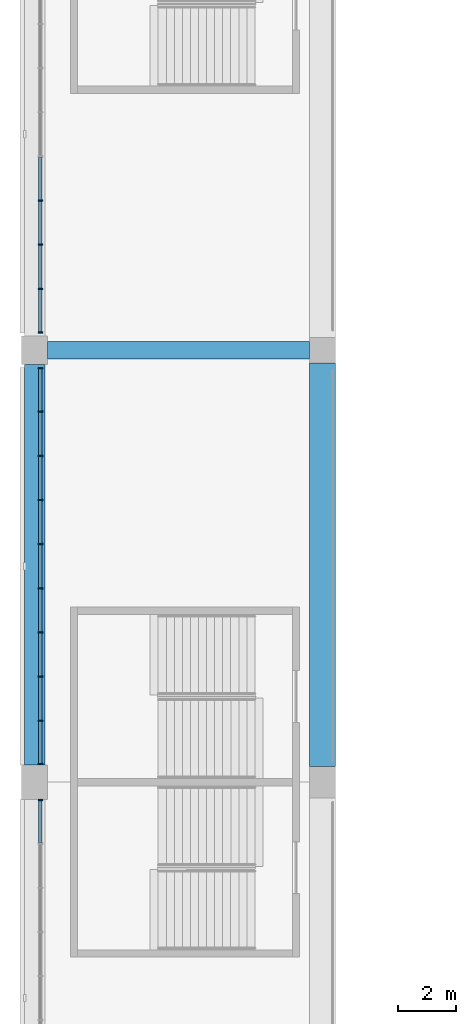
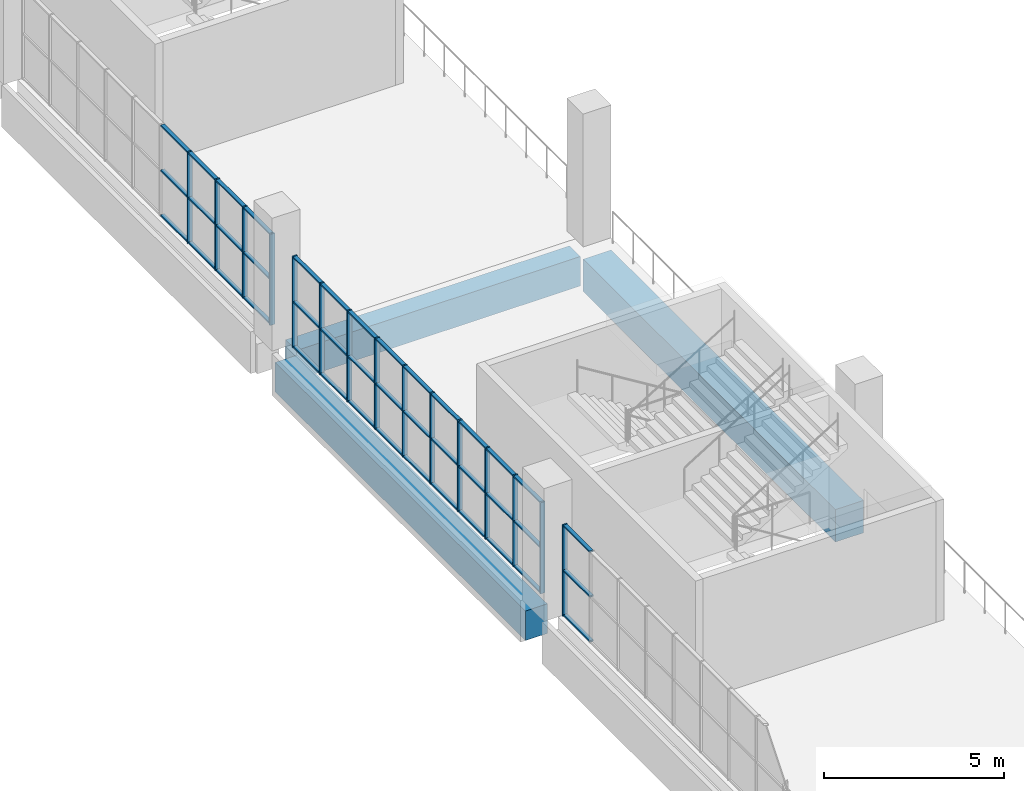
# One storey, part 13 of 177: 57 members, 3 beams, 3 elements without a shape of their own.
"""IFC4 building model written with IfcOpenShell, lengths in metres."""

from ifc_helpers import new_model, si_unit, direction, frame, origin, origin_2d, place, context, subcontext, project, spatial, rectangle, extrude, material, material_profile, profile_set, type_object, element, aggregate, save


model = new_model("IFC4")

# Units and contexts
model_context = context("Model", 3, precision=1e-05, world=origin(), true_north=direction((0.0, 1.0)))
body_context = subcontext(model_context, "Body", "Model", "MODEL_VIEW")
ifc_project = project(units=[si_unit("LENGTHUNIT", "METRE"), si_unit("AREAUNIT", "SQUARE_METRE"), si_unit("VOLUMEUNIT", "CUBIC_METRE"), si_unit("PLANEANGLEUNIT", "RADIAN"), si_unit("MASSUNIT", "GRAM", prefix="KILO")], contexts=[model_context])

# Site, building, storey
site_placement = place(None, origin())
site = spatial("IfcSite", under=ifc_project, at=site_placement, CompositionType="ELEMENT")
building_placement = place(site_placement, origin())
building = spatial("IfcBuilding", under=site, at=building_placement, Name="Ogive Plaza Stadium", CompositionType="ELEMENT")
storey_placement = place(building_placement, frame((0.0, 0.0, 18.0)))
storey = spatial("IfcBuildingStorey", under=building, at=storey_placement, Name="L04", CompositionType="ELEMENT", Elevation=18.0)

# Curtain wall, member
ifc_material_1 = material(Name="Bronze-anodised aluminium with laminated glass", Category="aluminium")
curtain_wall_type = type_object("IfcCurtainWallType", Name="Lancet curtain wall", PredefinedType="NOTDEFINED", material=ifc_material_1)
curtain_wall_1_placement = place(storey_placement, origin())
curtain_wall_1 = element("IfcCurtainWall", 1, at=curtain_wall_1_placement, inside=storey, type_object=curtain_wall_type, Name="CURTAIN WALL B21 L04", PredefinedType="NOTDEFINED")
ifc_material_2 = material(Name="Bronze-anodised aluminium", Category="aluminium")
ifc_material_profile_1 = material_profile(ifc_material_2, rectangle(XDim=0.14990234375, YDim=0.050048828125, at=origin_2d()), Name="AL 150x50")
ifc_profile_set_1 = profile_set([ifc_material_profile_1], Name="Bronze-anodised aluminium")
member_type_1 = type_object("IfcMemberType", Name="Curtain wall mullion 50x150", PredefinedType="MULLION", material=ifc_profile_set_1)
member_1_placement = place(storey_placement, frame((-83.800048828125, -38.125, 0.0), z_axis=(0.0, 0.0, 1.0), x_axis=(-1.0, 0.0, 0.0)))
member_1 = element("IfcMember", 2, at=member_1_placement, type_object=member_type_1, Name="CW-B21-L04 mullion 10", PredefinedType="MULLION", context=body_context, shape_type="SweptSolid", body=[
    extrude(rectangle(XDim=0.14990234375, YDim=0.050048828125, at=origin_2d()), origin(), (0.0, 0.0, 1.0), 3.090087890625),
])

# Curtain wall, members
curtain_wall_2_placement = place(storey_placement, origin())
curtain_wall_2 = element("IfcCurtainWall", 3, at=curtain_wall_2_placement, inside=storey, type_object=curtain_wall_type, Name="CURTAIN WALL B22 L04", PredefinedType="NOTDEFINED")
member_2_placement = place(storey_placement, frame((-83.800048828125, -36.875, 0.0), z_axis=(0.0, 0.0, 1.0), x_axis=(-1.0, 0.0, 0.0)))
member_2 = element("IfcMember", 4, at=member_2_placement, type_object=member_type_1, Name="CW-B22-L04 mullion 1", PredefinedType="MULLION", context=body_context, shape_type="SweptSolid", body=[
    extrude(rectangle(XDim=0.14990234375, YDim=0.050048828125, at=origin_2d()), origin(), (0.0, 0.0, 1.0), 3.090087890625),
])
member_3_placement = place(storey_placement, frame((-83.800048828125, -35.36669921875, 0.0), z_axis=(0.0, 0.0, 1.0), x_axis=(-1.0, 0.0, 0.0)))
member_3 = element("IfcMember", 5, at=member_3_placement, type_object=member_type_1, Name="CW-B22-L04 mullion 2", PredefinedType="MULLION", context=body_context, shape_type="SweptSolid", body=[
    extrude(rectangle(XDim=0.14990234375, YDim=0.050048828125, at=origin_2d()), origin(), (0.0, 0.0, 1.0), 3.090087890625),
])
member_4_placement = place(storey_placement, frame((-83.800048828125, -33.833251953125, 0.0), z_axis=(0.0, 0.0, 1.0), x_axis=(-1.0, 0.0, 0.0)))
member_4 = element("IfcMember", 6, at=member_4_placement, type_object=member_type_1, Name="CW-B22-L04 mullion 3", PredefinedType="MULLION", context=body_context, shape_type="SweptSolid", body=[
    extrude(rectangle(XDim=0.14990234375, YDim=0.050048828125, at=origin_2d()), origin(), (0.0, 0.0, 1.0), 3.090087890625),
])
member_5_placement = place(storey_placement, frame((-83.800048828125, -32.300048828125, 0.0), z_axis=(0.0, 0.0, 1.0), x_axis=(-1.0, 0.0, 0.0)))
member_5 = element("IfcMember", 7, at=member_5_placement, type_object=member_type_1, Name="CW-B22-L04 mullion 4", PredefinedType="MULLION", context=body_context, shape_type="SweptSolid", body=[
    extrude(rectangle(XDim=0.14990234375, YDim=0.050048828125, at=origin_2d()), origin(), (0.0, 0.0, 1.0), 3.090087890625),
])
member_6_placement = place(storey_placement, frame((-83.800048828125, -30.7666015625, 0.0), z_axis=(0.0, 0.0, 1.0), x_axis=(-1.0, 0.0, 0.0)))
member_6 = element("IfcMember", 8, at=member_6_placement, type_object=member_type_1, Name="CW-B22-L04 mullion 5", PredefinedType="MULLION", context=body_context, shape_type="SweptSolid", body=[
    extrude(rectangle(XDim=0.14990234375, YDim=0.050048828125, at=origin_2d()), origin(), (0.0, 0.0, 1.0), 3.090087890625),
])
member_7_placement = place(storey_placement, frame((-83.800048828125, -29.2333984375, 0.0), z_axis=(0.0, 0.0, 1.0), x_axis=(-1.0, 0.0, 0.0)))
member_7 = element("IfcMember", 9, at=member_7_placement, type_object=member_type_1, Name="CW-B22-L04 mullion 6", PredefinedType="MULLION", context=body_context, shape_type="SweptSolid", body=[
    extrude(rectangle(XDim=0.14990234375, YDim=0.050048828125, at=origin_2d()), origin(), (0.0, 0.0, 1.0), 3.090087890625),
])
member_8_placement = place(storey_placement, frame((-83.800048828125, -27.699951171875, 0.0), z_axis=(0.0, 0.0, 1.0), x_axis=(-1.0, 0.0, 0.0)))
member_8 = element("IfcMember", 10, at=member_8_placement, type_object=member_type_1, Name="CW-B22-L04 mullion 7", PredefinedType="MULLION", context=body_context, shape_type="SweptSolid", body=[
    extrude(rectangle(XDim=0.14990234375, YDim=0.050048828125, at=origin_2d()), origin(), (0.0, 0.0, 1.0), 3.090087890625),
])
member_9_placement = place(storey_placement, frame((-83.800048828125, -26.166748046875, 0.0), z_axis=(0.0, 0.0, 1.0), x_axis=(-1.0, 0.0, 0.0)))
member_9 = element("IfcMember", 11, at=member_9_placement, type_object=member_type_1, Name="CW-B22-L04 mullion 8", PredefinedType="MULLION", context=body_context, shape_type="SweptSolid", body=[
    extrude(rectangle(XDim=0.14990234375, YDim=0.050048828125, at=origin_2d()), origin(), (0.0, 0.0, 1.0), 3.090087890625),
])
member_10_placement = place(storey_placement, frame((-83.800048828125, -24.63330078125, 0.0), z_axis=(0.0, 0.0, 1.0), x_axis=(-1.0, 0.0, 0.0)))
member_10 = element("IfcMember", 12, at=member_10_placement, type_object=member_type_1, Name="CW-B22-L04 mullion 9", PredefinedType="MULLION", context=body_context, shape_type="SweptSolid", body=[
    extrude(rectangle(XDim=0.14990234375, YDim=0.050048828125, at=origin_2d()), origin(), (0.0, 0.0, 1.0), 3.090087890625),
])
member_11_placement = place(storey_placement, frame((-83.800048828125, -23.125, 0.0), z_axis=(0.0, 0.0, 1.0), x_axis=(-1.0, 0.0, 0.0)))
member_11 = element("IfcMember", 13, at=member_11_placement, type_object=member_type_1, Name="CW-B22-L04 mullion 10", PredefinedType="MULLION", context=body_context, shape_type="SweptSolid", body=[
    extrude(rectangle(XDim=0.14990234375, YDim=0.050048828125, at=origin_2d()), origin(), (0.0, 0.0, 1.0), 3.090087890625),
])

curtain_wall_3_placement = place(storey_placement, origin())
curtain_wall_3 = element("IfcCurtainWall", 14, at=curtain_wall_3_placement, inside=storey, type_object=curtain_wall_type, Name="CURTAIN WALL B23 L04", PredefinedType="NOTDEFINED")
member_12_placement = place(storey_placement, frame((-83.800048828125, -21.875, 0.0), z_axis=(0.0, 0.0, 1.0), x_axis=(-1.0, 0.0, 0.0)))
member_12 = element("IfcMember", 15, at=member_12_placement, type_object=member_type_1, Name="CW-B23-L04 mullion 1", PredefinedType="MULLION", context=body_context, shape_type="SweptSolid", body=[
    extrude(rectangle(XDim=0.14990234375, YDim=0.050048828125, at=origin_2d()), origin(), (0.0, 0.0, 1.0), 3.090087890625),
])
member_13_placement = place(storey_placement, frame((-83.800048828125, -20.36669921875, 0.0), z_axis=(0.0, 0.0, 1.0), x_axis=(-1.0, 0.0, 0.0)))
member_13 = element("IfcMember", 16, at=member_13_placement, type_object=member_type_1, Name="CW-B23-L04 mullion 2", PredefinedType="MULLION", context=body_context, shape_type="SweptSolid", body=[
    extrude(rectangle(XDim=0.14990234375, YDim=0.050048828125, at=origin_2d()), origin(), (0.0, 0.0, 1.0), 3.090087890625),
])
member_14_placement = place(storey_placement, frame((-83.800048828125, -18.833251953125, 0.0), z_axis=(0.0, 0.0, 1.0), x_axis=(-1.0, 0.0, 0.0)))
member_14 = element("IfcMember", 17, at=member_14_placement, type_object=member_type_1, Name="CW-B23-L04 mullion 3", PredefinedType="MULLION", context=body_context, shape_type="SweptSolid", body=[
    extrude(rectangle(XDim=0.14990234375, YDim=0.050048828125, at=origin_2d()), origin(), (0.0, 0.0, 1.0), 3.090087890625),
])
member_15_placement = place(storey_placement, frame((-83.800048828125, -17.300048828125, 0.0), z_axis=(0.0, 0.0, 1.0), x_axis=(-1.0, 0.0, 0.0)))
member_15 = element("IfcMember", 18, at=member_15_placement, type_object=member_type_1, Name="CW-B23-L04 mullion 4", PredefinedType="MULLION", context=body_context, shape_type="SweptSolid", body=[
    extrude(rectangle(XDim=0.14990234375, YDim=0.050048828125, at=origin_2d()), origin(), (0.0, 0.0, 1.0), 3.090087890625),
])

# Member
ifc_material_3 = material(Name="Bronze-anodised aluminium", Category="aluminium")
ifc_material_profile_2 = material_profile(ifc_material_3, rectangle(XDim=0.1201171875, YDim=0.050048828125, at=origin_2d()), Name="AL 120x50")
ifc_profile_set_2 = profile_set([ifc_material_profile_2], Name="Bronze-anodised aluminium")
member_type_2 = type_object("IfcMemberType", Name="Curtain wall transom 50x120", PredefinedType="USERDEFINED", material=ifc_profile_set_2)
member_16_placement = place(storey_placement, frame((-83.800048828125, -39.6083984375, 0.02490234375), z_axis=(0.0, 1.0, 0.0), x_axis=(-1.0, 0.0, 0.0)))
member_16 = element("IfcMember", 19, at=member_16_placement, type_object=member_type_2, Name="CW-B21-L04 transom 9.1", ObjectType="TRANSOM", PredefinedType="USERDEFINED", context=body_context, shape_type="SweptSolid", body=[
    extrude(rectangle(XDim=0.1201171875, YDim=0.050048828125, at=origin_2d()), origin(), (0.0, 0.0, 1.0), 1.45849609375),
])

member_17_placement = place(storey_placement, frame((-83.800048828125, -39.6083984375, 1.544921875), z_axis=(0.0, 1.0, 0.0), x_axis=(-1.0, 0.0, 0.0)))
member_17 = element("IfcMember", 20, at=member_17_placement, type_object=member_type_2, Name="CW-B21-L04 transom 9.2", ObjectType="TRANSOM", PredefinedType="USERDEFINED", context=body_context, shape_type="SweptSolid", body=[
    extrude(rectangle(XDim=0.1201171875, YDim=0.050048828125, at=origin_2d()), origin(), (0.0, 0.0, 1.0), 1.45849609375),
])

member_18_placement = place(storey_placement, frame((-83.800048828125, -39.6083984375, 3.06494140625), z_axis=(0.0, 1.0, 0.0), x_axis=(-1.0, 0.0, 0.0)))
member_18 = element("IfcMember", 21, at=member_18_placement, type_object=member_type_2, Name="CW-B21-L04 transom 9.3", ObjectType="TRANSOM", PredefinedType="USERDEFINED", context=body_context, shape_type="SweptSolid", body=[
    extrude(rectangle(XDim=0.1201171875, YDim=0.050048828125, at=origin_2d()), origin(), (0.0, 0.0, 1.0), 1.45849609375),
])

aggregate(curtain_wall_1, [member_1, member_16, member_17, member_18])

member_19_placement = place(storey_placement, frame((-83.800048828125, -36.85009765625, 0.02490234375), z_axis=(0.0, 1.0, 0.0), x_axis=(-1.0, 0.0, 0.0)))
member_19 = element("IfcMember", 22, at=member_19_placement, type_object=member_type_2, Name="CW-B22-L04 transom 1.1", ObjectType="TRANSOM", PredefinedType="USERDEFINED", context=body_context, shape_type="SweptSolid", body=[
    extrude(rectangle(XDim=0.1201171875, YDim=0.050048828125, at=origin_2d()), origin(), (0.0, 0.0, 1.0), 1.45849609375),
])

member_20_placement = place(storey_placement, frame((-83.800048828125, -36.85009765625, 1.544921875), z_axis=(0.0, 1.0, 0.0), x_axis=(-1.0, 0.0, 0.0)))
member_20 = element("IfcMember", 23, at=member_20_placement, type_object=member_type_2, Name="CW-B22-L04 transom 1.2", ObjectType="TRANSOM", PredefinedType="USERDEFINED", context=body_context, shape_type="SweptSolid", body=[
    extrude(rectangle(XDim=0.1201171875, YDim=0.050048828125, at=origin_2d()), origin(), (0.0, 0.0, 1.0), 1.45849609375),
])

member_21_placement = place(storey_placement, frame((-83.800048828125, -36.85009765625, 3.06494140625), z_axis=(0.0, 1.0, 0.0), x_axis=(-1.0, 0.0, 0.0)))
member_21 = element("IfcMember", 24, at=member_21_placement, type_object=member_type_2, Name="CW-B22-L04 transom 1.3", ObjectType="TRANSOM", PredefinedType="USERDEFINED", context=body_context, shape_type="SweptSolid", body=[
    extrude(rectangle(XDim=0.1201171875, YDim=0.050048828125, at=origin_2d()), origin(), (0.0, 0.0, 1.0), 1.45849609375),
])

member_22_placement = place(storey_placement, frame((-83.800048828125, -35.341552734375, 0.02490234375), z_axis=(0.0, 1.0, 0.0), x_axis=(-1.0, 0.0, 0.0)))
member_22 = element("IfcMember", 25, at=member_22_placement, type_object=member_type_2, Name="CW-B22-L04 transom 2.1", ObjectType="TRANSOM", PredefinedType="USERDEFINED", context=body_context, shape_type="SweptSolid", body=[
    extrude(rectangle(XDim=0.1201171875, YDim=0.050048828125, at=origin_2d()), origin(), (0.0, 0.0, 1.0), 1.483154296875),
])

member_23_placement = place(storey_placement, frame((-83.800048828125, -35.341552734375, 1.544921875), z_axis=(0.0, 1.0, 0.0), x_axis=(-1.0, 0.0, 0.0)))
member_23 = element("IfcMember", 26, at=member_23_placement, type_object=member_type_2, Name="CW-B22-L04 transom 2.2", ObjectType="TRANSOM", PredefinedType="USERDEFINED", context=body_context, shape_type="SweptSolid", body=[
    extrude(rectangle(XDim=0.1201171875, YDim=0.050048828125, at=origin_2d()), origin(), (0.0, 0.0, 1.0), 1.483154296875),
])

member_24_placement = place(storey_placement, frame((-83.800048828125, -35.341552734375, 3.06494140625), z_axis=(0.0, 1.0, 0.0), x_axis=(-1.0, 0.0, 0.0)))
member_24 = element("IfcMember", 27, at=member_24_placement, type_object=member_type_2, Name="CW-B22-L04 transom 2.3", ObjectType="TRANSOM", PredefinedType="USERDEFINED", context=body_context, shape_type="SweptSolid", body=[
    extrude(rectangle(XDim=0.1201171875, YDim=0.050048828125, at=origin_2d()), origin(), (0.0, 0.0, 1.0), 1.483154296875),
])

member_25_placement = place(storey_placement, frame((-83.800048828125, -33.808349609375, 0.02490234375), z_axis=(0.0, 1.0, 0.0), x_axis=(-1.0, 0.0, 0.0)))
member_25 = element("IfcMember", 28, at=member_25_placement, type_object=member_type_2, Name="CW-B22-L04 transom 3.1", ObjectType="TRANSOM", PredefinedType="USERDEFINED", context=body_context, shape_type="SweptSolid", body=[
    extrude(rectangle(XDim=0.1201171875, YDim=0.050048828125, at=origin_2d()), origin(), (0.0, 0.0, 1.0), 1.4833984375),
])

member_26_placement = place(storey_placement, frame((-83.800048828125, -33.808349609375, 1.544921875), z_axis=(0.0, 1.0, 0.0), x_axis=(-1.0, 0.0, 0.0)))
member_26 = element("IfcMember", 29, at=member_26_placement, type_object=member_type_2, Name="CW-B22-L04 transom 3.2", ObjectType="TRANSOM", PredefinedType="USERDEFINED", context=body_context, shape_type="SweptSolid", body=[
    extrude(rectangle(XDim=0.1201171875, YDim=0.050048828125, at=origin_2d()), origin(), (0.0, 0.0, 1.0), 1.4833984375),
])

member_27_placement = place(storey_placement, frame((-83.800048828125, -33.808349609375, 3.06494140625), z_axis=(0.0, 1.0, 0.0), x_axis=(-1.0, 0.0, 0.0)))
member_27 = element("IfcMember", 30, at=member_27_placement, type_object=member_type_2, Name="CW-B22-L04 transom 3.3", ObjectType="TRANSOM", PredefinedType="USERDEFINED", context=body_context, shape_type="SweptSolid", body=[
    extrude(rectangle(XDim=0.1201171875, YDim=0.050048828125, at=origin_2d()), origin(), (0.0, 0.0, 1.0), 1.4833984375),
])

member_28_placement = place(storey_placement, frame((-83.800048828125, -32.27490234375, 0.02490234375), z_axis=(0.0, 1.0, 0.0), x_axis=(-1.0, 0.0, 0.0)))
member_28 = element("IfcMember", 31, at=member_28_placement, type_object=member_type_2, Name="CW-B22-L04 transom 4.1", ObjectType="TRANSOM", PredefinedType="USERDEFINED", context=body_context, shape_type="SweptSolid", body=[
    extrude(rectangle(XDim=0.1201171875, YDim=0.050048828125, at=origin_2d()), origin(), (0.0, 0.0, 1.0), 1.483154296875),
])

member_29_placement = place(storey_placement, frame((-83.800048828125, -32.27490234375, 1.544921875), z_axis=(0.0, 1.0, 0.0), x_axis=(-1.0, 0.0, 0.0)))
member_29 = element("IfcMember", 32, at=member_29_placement, type_object=member_type_2, Name="CW-B22-L04 transom 4.2", ObjectType="TRANSOM", PredefinedType="USERDEFINED", context=body_context, shape_type="SweptSolid", body=[
    extrude(rectangle(XDim=0.1201171875, YDim=0.050048828125, at=origin_2d()), origin(), (0.0, 0.0, 1.0), 1.483154296875),
])

member_30_placement = place(storey_placement, frame((-83.800048828125, -32.27490234375, 3.06494140625), z_axis=(0.0, 1.0, 0.0), x_axis=(-1.0, 0.0, 0.0)))
member_30 = element("IfcMember", 33, at=member_30_placement, type_object=member_type_2, Name="CW-B22-L04 transom 4.3", ObjectType="TRANSOM", PredefinedType="USERDEFINED", context=body_context, shape_type="SweptSolid", body=[
    extrude(rectangle(XDim=0.1201171875, YDim=0.050048828125, at=origin_2d()), origin(), (0.0, 0.0, 1.0), 1.483154296875),
])

member_31_placement = place(storey_placement, frame((-83.800048828125, -30.74169921875, 0.02490234375), z_axis=(0.0, 1.0, 0.0), x_axis=(-1.0, 0.0, 0.0)))
member_31 = element("IfcMember", 34, at=member_31_placement, type_object=member_type_2, Name="CW-B22-L04 transom 5.1", ObjectType="TRANSOM", PredefinedType="USERDEFINED", context=body_context, shape_type="SweptSolid", body=[
    extrude(rectangle(XDim=0.1201171875, YDim=0.050048828125, at=origin_2d()), origin(), (0.0, 0.0, 1.0), 1.4833984375),
])

member_32_placement = place(storey_placement, frame((-83.800048828125, -30.74169921875, 1.544921875), z_axis=(0.0, 1.0, 0.0), x_axis=(-1.0, 0.0, 0.0)))
member_32 = element("IfcMember", 35, at=member_32_placement, type_object=member_type_2, Name="CW-B22-L04 transom 5.2", ObjectType="TRANSOM", PredefinedType="USERDEFINED", context=body_context, shape_type="SweptSolid", body=[
    extrude(rectangle(XDim=0.1201171875, YDim=0.050048828125, at=origin_2d()), origin(), (0.0, 0.0, 1.0), 1.4833984375),
])

member_33_placement = place(storey_placement, frame((-83.800048828125, -30.74169921875, 3.06494140625), z_axis=(0.0, 1.0, 0.0), x_axis=(-1.0, 0.0, 0.0)))
member_33 = element("IfcMember", 36, at=member_33_placement, type_object=member_type_2, Name="CW-B22-L04 transom 5.3", ObjectType="TRANSOM", PredefinedType="USERDEFINED", context=body_context, shape_type="SweptSolid", body=[
    extrude(rectangle(XDim=0.1201171875, YDim=0.050048828125, at=origin_2d()), origin(), (0.0, 0.0, 1.0), 1.4833984375),
])

member_34_placement = place(storey_placement, frame((-83.800048828125, -29.208251953125, 0.02490234375), z_axis=(0.0, 1.0, 0.0), x_axis=(-1.0, 0.0, 0.0)))
member_34 = element("IfcMember", 37, at=member_34_placement, type_object=member_type_2, Name="CW-B22-L04 transom 6.1", ObjectType="TRANSOM", PredefinedType="USERDEFINED", context=body_context, shape_type="SweptSolid", body=[
    extrude(rectangle(XDim=0.1201171875, YDim=0.050048828125, at=origin_2d()), origin(), (0.0, 0.0, 1.0), 1.483154296875),
])

member_35_placement = place(storey_placement, frame((-83.800048828125, -29.208251953125, 1.544921875), z_axis=(0.0, 1.0, 0.0), x_axis=(-1.0, 0.0, 0.0)))
member_35 = element("IfcMember", 38, at=member_35_placement, type_object=member_type_2, Name="CW-B22-L04 transom 6.2", ObjectType="TRANSOM", PredefinedType="USERDEFINED", context=body_context, shape_type="SweptSolid", body=[
    extrude(rectangle(XDim=0.1201171875, YDim=0.050048828125, at=origin_2d()), origin(), (0.0, 0.0, 1.0), 1.483154296875),
])

member_36_placement = place(storey_placement, frame((-83.800048828125, -29.208251953125, 3.06494140625), z_axis=(0.0, 1.0, 0.0), x_axis=(-1.0, 0.0, 0.0)))
member_36 = element("IfcMember", 39, at=member_36_placement, type_object=member_type_2, Name="CW-B22-L04 transom 6.3", ObjectType="TRANSOM", PredefinedType="USERDEFINED", context=body_context, shape_type="SweptSolid", body=[
    extrude(rectangle(XDim=0.1201171875, YDim=0.050048828125, at=origin_2d()), origin(), (0.0, 0.0, 1.0), 1.483154296875),
])

member_37_placement = place(storey_placement, frame((-83.800048828125, -27.675048828125, 0.02490234375), z_axis=(0.0, 1.0, 0.0), x_axis=(-1.0, 0.0, 0.0)))
member_37 = element("IfcMember", 40, at=member_37_placement, type_object=member_type_2, Name="CW-B22-L04 transom 7.1", ObjectType="TRANSOM", PredefinedType="USERDEFINED", context=body_context, shape_type="SweptSolid", body=[
    extrude(rectangle(XDim=0.1201171875, YDim=0.050048828125, at=origin_2d()), origin(), (0.0, 0.0, 1.0), 1.4833984375),
])

member_38_placement = place(storey_placement, frame((-83.800048828125, -27.675048828125, 1.544921875), z_axis=(0.0, 1.0, 0.0), x_axis=(-1.0, 0.0, 0.0)))
member_38 = element("IfcMember", 41, at=member_38_placement, type_object=member_type_2, Name="CW-B22-L04 transom 7.2", ObjectType="TRANSOM", PredefinedType="USERDEFINED", context=body_context, shape_type="SweptSolid", body=[
    extrude(rectangle(XDim=0.1201171875, YDim=0.050048828125, at=origin_2d()), origin(), (0.0, 0.0, 1.0), 1.4833984375),
])

member_39_placement = place(storey_placement, frame((-83.800048828125, -27.675048828125, 3.06494140625), z_axis=(0.0, 1.0, 0.0), x_axis=(-1.0, 0.0, 0.0)))
member_39 = element("IfcMember", 42, at=member_39_placement, type_object=member_type_2, Name="CW-B22-L04 transom 7.3", ObjectType="TRANSOM", PredefinedType="USERDEFINED", context=body_context, shape_type="SweptSolid", body=[
    extrude(rectangle(XDim=0.1201171875, YDim=0.050048828125, at=origin_2d()), origin(), (0.0, 0.0, 1.0), 1.4833984375),
])

member_40_placement = place(storey_placement, frame((-83.800048828125, -26.1416015625, 0.02490234375), z_axis=(0.0, 1.0, 0.0), x_axis=(-1.0, 0.0, 0.0)))
member_40 = element("IfcMember", 43, at=member_40_placement, type_object=member_type_2, Name="CW-B22-L04 transom 8.1", ObjectType="TRANSOM", PredefinedType="USERDEFINED", context=body_context, shape_type="SweptSolid", body=[
    extrude(rectangle(XDim=0.1201171875, YDim=0.050048828125, at=origin_2d()), origin(), (0.0, 0.0, 1.0), 1.483154296875),
])

member_41_placement = place(storey_placement, frame((-83.800048828125, -26.1416015625, 1.544921875), z_axis=(0.0, 1.0, 0.0), x_axis=(-1.0, 0.0, 0.0)))
member_41 = element("IfcMember", 44, at=member_41_placement, type_object=member_type_2, Name="CW-B22-L04 transom 8.2", ObjectType="TRANSOM", PredefinedType="USERDEFINED", context=body_context, shape_type="SweptSolid", body=[
    extrude(rectangle(XDim=0.1201171875, YDim=0.050048828125, at=origin_2d()), origin(), (0.0, 0.0, 1.0), 1.483154296875),
])

member_42_placement = place(storey_placement, frame((-83.800048828125, -26.1416015625, 3.06494140625), z_axis=(0.0, 1.0, 0.0), x_axis=(-1.0, 0.0, 0.0)))
member_42 = element("IfcMember", 45, at=member_42_placement, type_object=member_type_2, Name="CW-B22-L04 transom 8.3", ObjectType="TRANSOM", PredefinedType="USERDEFINED", context=body_context, shape_type="SweptSolid", body=[
    extrude(rectangle(XDim=0.1201171875, YDim=0.050048828125, at=origin_2d()), origin(), (0.0, 0.0, 1.0), 1.483154296875),
])

member_43_placement = place(storey_placement, frame((-83.800048828125, -24.6083984375, 0.02490234375), z_axis=(0.0, 1.0, 0.0), x_axis=(-1.0, 0.0, 0.0)))
member_43 = element("IfcMember", 46, at=member_43_placement, type_object=member_type_2, Name="CW-B22-L04 transom 9.1", ObjectType="TRANSOM", PredefinedType="USERDEFINED", context=body_context, shape_type="SweptSolid", body=[
    extrude(rectangle(XDim=0.1201171875, YDim=0.050048828125, at=origin_2d()), origin(), (0.0, 0.0, 1.0), 1.45849609375),
])

member_44_placement = place(storey_placement, frame((-83.800048828125, -24.6083984375, 1.544921875), z_axis=(0.0, 1.0, 0.0), x_axis=(-1.0, 0.0, 0.0)))
member_44 = element("IfcMember", 47, at=member_44_placement, type_object=member_type_2, Name="CW-B22-L04 transom 9.2", ObjectType="TRANSOM", PredefinedType="USERDEFINED", context=body_context, shape_type="SweptSolid", body=[
    extrude(rectangle(XDim=0.1201171875, YDim=0.050048828125, at=origin_2d()), origin(), (0.0, 0.0, 1.0), 1.45849609375),
])

member_45_placement = place(storey_placement, frame((-83.800048828125, -24.6083984375, 3.06494140625), z_axis=(0.0, 1.0, 0.0), x_axis=(-1.0, 0.0, 0.0)))
member_45 = element("IfcMember", 48, at=member_45_placement, type_object=member_type_2, Name="CW-B22-L04 transom 9.3", ObjectType="TRANSOM", PredefinedType="USERDEFINED", context=body_context, shape_type="SweptSolid", body=[
    extrude(rectangle(XDim=0.1201171875, YDim=0.050048828125, at=origin_2d()), origin(), (0.0, 0.0, 1.0), 1.45849609375),
])

aggregate(curtain_wall_2, [member_2, member_3, member_4, member_5, member_6, member_7, member_8, member_9, member_10, member_11, member_19, member_20, member_21, member_22, member_23, member_24, member_25, member_26, member_27, member_28, member_29, member_30, member_31, member_32, member_33, member_34, member_35, member_36, member_37, member_38, member_39, member_40, member_41, member_42, member_43, member_44, member_45])

member_46_placement = place(storey_placement, frame((-83.800048828125, -21.85009765625, 0.02490234375), z_axis=(0.0, 1.0, 0.0), x_axis=(-1.0, 0.0, 0.0)))
member_46 = element("IfcMember", 49, at=member_46_placement, type_object=member_type_2, Name="CW-B23-L04 transom 1.1", ObjectType="TRANSOM", PredefinedType="USERDEFINED", context=body_context, shape_type="SweptSolid", body=[
    extrude(rectangle(XDim=0.1201171875, YDim=0.050048828125, at=origin_2d()), origin(), (0.0, 0.0, 1.0), 1.45849609375),
])

member_47_placement = place(storey_placement, frame((-83.800048828125, -21.85009765625, 1.544921875), z_axis=(0.0, 1.0, 0.0), x_axis=(-1.0, 0.0, 0.0)))
member_47 = element("IfcMember", 50, at=member_47_placement, type_object=member_type_2, Name="CW-B23-L04 transom 1.2", ObjectType="TRANSOM", PredefinedType="USERDEFINED", context=body_context, shape_type="SweptSolid", body=[
    extrude(rectangle(XDim=0.1201171875, YDim=0.050048828125, at=origin_2d()), origin(), (0.0, 0.0, 1.0), 1.45849609375),
])

member_48_placement = place(storey_placement, frame((-83.800048828125, -21.85009765625, 3.06494140625), z_axis=(0.0, 1.0, 0.0), x_axis=(-1.0, 0.0, 0.0)))
member_48 = element("IfcMember", 51, at=member_48_placement, type_object=member_type_2, Name="CW-B23-L04 transom 1.3", ObjectType="TRANSOM", PredefinedType="USERDEFINED", context=body_context, shape_type="SweptSolid", body=[
    extrude(rectangle(XDim=0.1201171875, YDim=0.050048828125, at=origin_2d()), origin(), (0.0, 0.0, 1.0), 1.45849609375),
])

member_49_placement = place(storey_placement, frame((-83.800048828125, -20.341552734375, 0.02490234375), z_axis=(0.0, 1.0, 0.0), x_axis=(-1.0, 0.0, 0.0)))
member_49 = element("IfcMember", 52, at=member_49_placement, type_object=member_type_2, Name="CW-B23-L04 transom 2.1", ObjectType="TRANSOM", PredefinedType="USERDEFINED", context=body_context, shape_type="SweptSolid", body=[
    extrude(rectangle(XDim=0.1201171875, YDim=0.050048828125, at=origin_2d()), origin(), (0.0, 0.0, 1.0), 1.483154296875),
])

member_50_placement = place(storey_placement, frame((-83.800048828125, -20.341552734375, 1.544921875), z_axis=(0.0, 1.0, 0.0), x_axis=(-1.0, 0.0, 0.0)))
member_50 = element("IfcMember", 53, at=member_50_placement, type_object=member_type_2, Name="CW-B23-L04 transom 2.2", ObjectType="TRANSOM", PredefinedType="USERDEFINED", context=body_context, shape_type="SweptSolid", body=[
    extrude(rectangle(XDim=0.1201171875, YDim=0.050048828125, at=origin_2d()), origin(), (0.0, 0.0, 1.0), 1.483154296875),
])

member_51_placement = place(storey_placement, frame((-83.800048828125, -20.341552734375, 3.06494140625), z_axis=(0.0, 1.0, 0.0), x_axis=(-1.0, 0.0, 0.0)))
member_51 = element("IfcMember", 54, at=member_51_placement, type_object=member_type_2, Name="CW-B23-L04 transom 2.3", ObjectType="TRANSOM", PredefinedType="USERDEFINED", context=body_context, shape_type="SweptSolid", body=[
    extrude(rectangle(XDim=0.1201171875, YDim=0.050048828125, at=origin_2d()), origin(), (0.0, 0.0, 1.0), 1.483154296875),
])

member_52_placement = place(storey_placement, frame((-83.800048828125, -18.808349609375, 0.02490234375), z_axis=(0.0, 1.0, 0.0), x_axis=(-1.0, 0.0, 0.0)))
member_52 = element("IfcMember", 55, at=member_52_placement, type_object=member_type_2, Name="CW-B23-L04 transom 3.1", ObjectType="TRANSOM", PredefinedType="USERDEFINED", context=body_context, shape_type="SweptSolid", body=[
    extrude(rectangle(XDim=0.1201171875, YDim=0.050048828125, at=origin_2d()), origin(), (0.0, 0.0, 1.0), 1.4833984375),
])

member_53_placement = place(storey_placement, frame((-83.800048828125, -18.808349609375, 1.544921875), z_axis=(0.0, 1.0, 0.0), x_axis=(-1.0, 0.0, 0.0)))
member_53 = element("IfcMember", 56, at=member_53_placement, type_object=member_type_2, Name="CW-B23-L04 transom 3.2", ObjectType="TRANSOM", PredefinedType="USERDEFINED", context=body_context, shape_type="SweptSolid", body=[
    extrude(rectangle(XDim=0.1201171875, YDim=0.050048828125, at=origin_2d()), origin(), (0.0, 0.0, 1.0), 1.4833984375),
])

member_54_placement = place(storey_placement, frame((-83.800048828125, -18.808349609375, 3.06494140625), z_axis=(0.0, 1.0, 0.0), x_axis=(-1.0, 0.0, 0.0)))
member_54 = element("IfcMember", 57, at=member_54_placement, type_object=member_type_2, Name="CW-B23-L04 transom 3.3", ObjectType="TRANSOM", PredefinedType="USERDEFINED", context=body_context, shape_type="SweptSolid", body=[
    extrude(rectangle(XDim=0.1201171875, YDim=0.050048828125, at=origin_2d()), origin(), (0.0, 0.0, 1.0), 1.4833984375),
])

member_55_placement = place(storey_placement, frame((-83.800048828125, -17.27490234375, 0.02490234375), z_axis=(0.0, 1.0, 0.0), x_axis=(-1.0, 0.0, 0.0)))
member_55 = element("IfcMember", 58, at=member_55_placement, type_object=member_type_2, Name="CW-B23-L04 transom 4.1", ObjectType="TRANSOM", PredefinedType="USERDEFINED", context=body_context, shape_type="SweptSolid", body=[
    extrude(rectangle(XDim=0.1201171875, YDim=0.050048828125, at=origin_2d()), origin(), (0.0, 0.0, 1.0), 1.483154296875),
])

member_56_placement = place(storey_placement, frame((-83.800048828125, -17.27490234375, 1.544921875), z_axis=(0.0, 1.0, 0.0), x_axis=(-1.0, 0.0, 0.0)))
member_56 = element("IfcMember", 59, at=member_56_placement, type_object=member_type_2, Name="CW-B23-L04 transom 4.2", ObjectType="TRANSOM", PredefinedType="USERDEFINED", context=body_context, shape_type="SweptSolid", body=[
    extrude(rectangle(XDim=0.1201171875, YDim=0.050048828125, at=origin_2d()), origin(), (0.0, 0.0, 1.0), 1.483154296875),
])

member_57_placement = place(storey_placement, frame((-83.800048828125, -17.27490234375, 3.06494140625), z_axis=(0.0, 1.0, 0.0), x_axis=(-1.0, 0.0, 0.0)))
member_57 = element("IfcMember", 60, at=member_57_placement, type_object=member_type_2, Name="CW-B23-L04 transom 4.3", ObjectType="TRANSOM", PredefinedType="USERDEFINED", context=body_context, shape_type="SweptSolid", body=[
    extrude(rectangle(XDim=0.1201171875, YDim=0.050048828125, at=origin_2d()), origin(), (0.0, 0.0, 1.0), 1.483154296875),
])

aggregate(curtain_wall_3, [member_12, member_13, member_14, member_15, member_46, member_47, member_48, member_49, member_50, member_51, member_52, member_53, member_54, member_55, member_56, member_57])

# Beams
ifc_material_4 = material(Name="Concrete C40/50", Category="concrete")
ifc_material_profile_3 = material_profile(ifc_material_4, rectangle(XDim=0.60009765625, YDim=1.0, at=origin_2d()), Name="RC 600x1000")
ifc_profile_set_3 = profile_set([ifc_material_profile_3], Name="Concrete C40/50")
beam_type_1 = type_object("IfcBeamType", Name="RC radial beam 600x1000", PredefinedType="BEAM", material=ifc_profile_set_3)
beam_1_placement = place(storey_placement, frame((-74.449951171875, -22.5, -0.909912109375), z_axis=(-1.0, 0.0, 0.0), x_axis=(0.0, -1.0, 0.0)))
element("IfcBeam", 61, at=beam_1_placement, inside=storey, type_object=beam_type_1, Name="Radial beam L04 R23 F4F5", PredefinedType="BEAM", context=body_context, shape_type="SweptSolid", body=[
    extrude(rectangle(XDim=0.60009765625, YDim=1.0, at=origin_2d()), origin(), (0.0, 0.0, 1.0), 9.10009765625),
])
ifc_material_5 = material(Name="Concrete C40/50", Category="concrete")
ifc_material_profile_4 = material_profile(ifc_material_5, rectangle(XDim=0.89990234375, YDim=1.10009765625, at=origin_2d()), Name="RC 900x1100")
ifc_profile_set_4 = profile_set([ifc_material_profile_4], Name="Concrete C40/50")
beam_type_2 = type_object("IfcBeamType", Name="RC ring beam 900x1100", PredefinedType="BEAM", material=ifc_profile_set_4)
beam_2_placement = place(storey_placement, frame((-74.0, -36.949951171875, -0.9599609375), z_axis=(0.0, 1.0, 0.0), x_axis=(-1.0, 0.0, 0.0)))
element("IfcBeam", 62, at=beam_2_placement, inside=storey, type_object=beam_type_2, Name="Ring beam F4 L04 B22", PredefinedType="BEAM", context=body_context, shape_type="SweptSolid", body=[
    extrude(rectangle(XDim=0.89990234375, YDim=1.10009765625, at=origin_2d()), origin(), (0.0, 0.0, 1.0), 14.0),
])
ifc_material_6 = material(Name="Concrete C40/50", Category="concrete")
ifc_material_profile_5 = material_profile(ifc_material_6, rectangle(XDim=0.699951171875, YDim=1.0, at=origin_2d()), Name="RC 700x1000")
ifc_profile_set_5 = profile_set([ifc_material_profile_5], Name="Concrete C40/50")
beam_type_3 = type_object("IfcBeamType", Name="RC spandrel beam 700x1000", PredefinedType="SPANDREL", material=ifc_profile_set_5)
beam_3_placement = place(storey_placement, frame((-84.0, -36.89990234375, -0.909912109375), z_axis=(0.0, 1.0, 0.0), x_axis=(-1.0, 0.0, 0.0)))
element("IfcBeam", 63, at=beam_3_placement, inside=storey, type_object=beam_type_3, Name="Ring beam F5 L04 B22", PredefinedType="SPANDREL", context=body_context, shape_type="SweptSolid", body=[
    extrude(rectangle(XDim=0.699951171875, YDim=1.0, at=origin_2d()), origin(), (0.0, 0.0, 1.0), 13.89990234375),
])

save(model, "model.ifc")
